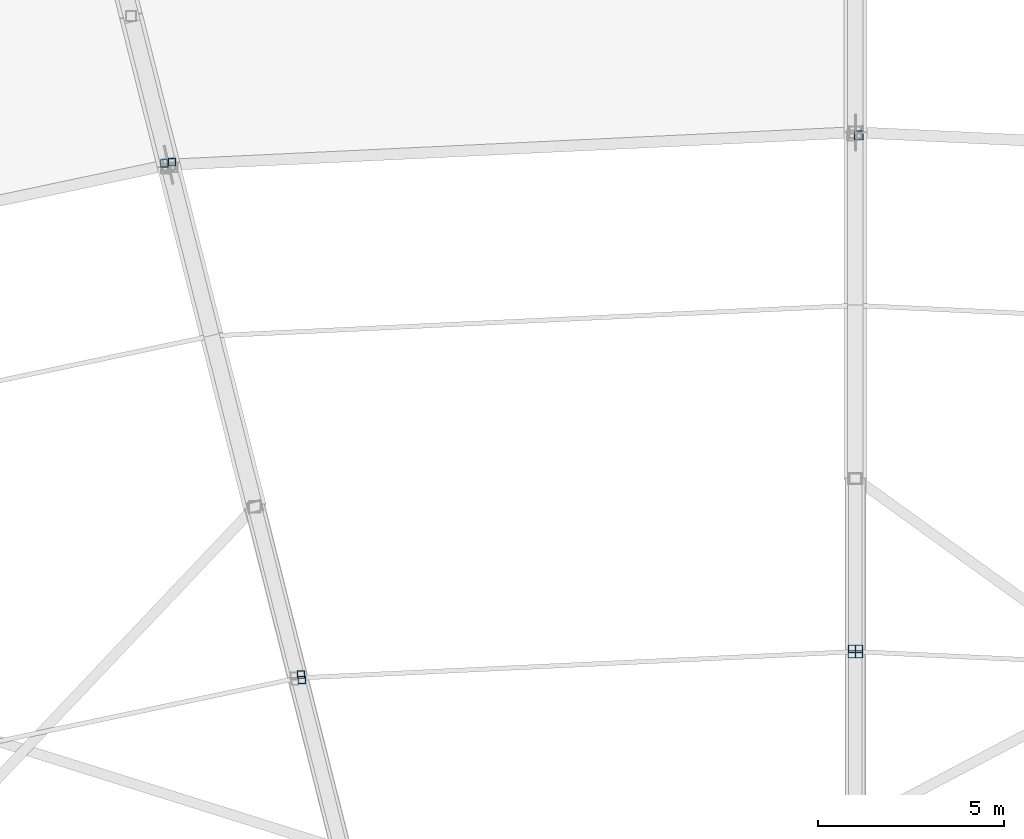
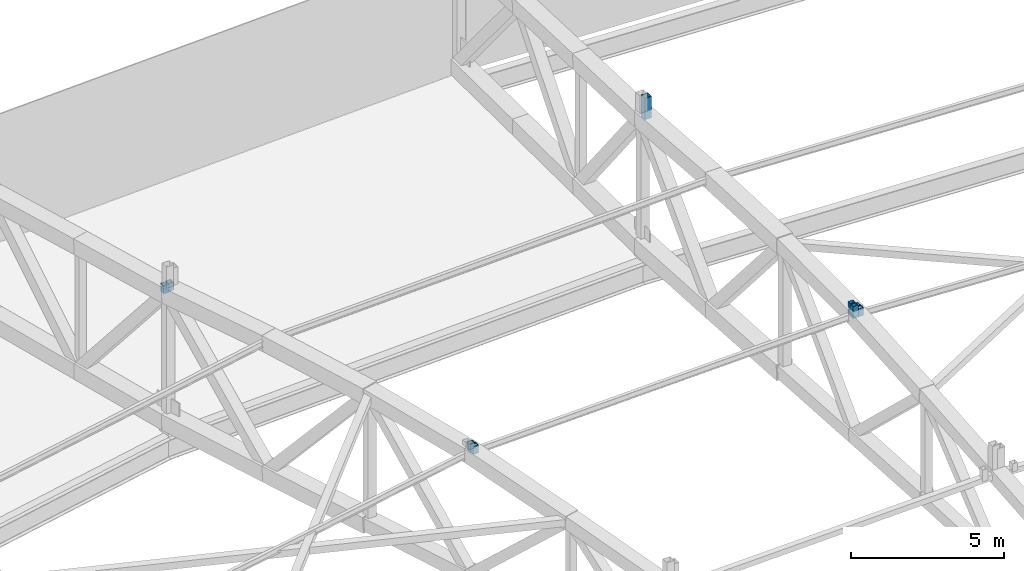
# One storey, part 130 of 162: 9 members.
"""IFC4 building model written with IfcOpenShell, lengths in metres."""

from ifc_helpers import new_model, si_unit, direction, frame, origin, origin_2d, place, context, subcontext, project, spatial, hollow_rectangle, extrude, material, material_profile, profile_set, type_object, element, save


model = new_model("IFC4")

# Units and contexts
model_context = context("Model", 3, precision=1e-05, world=origin(), true_north=direction((0.0, 1.0)))
body_context = subcontext(model_context, "Body", "Model", "MODEL_VIEW")
ifc_project = project(units=[si_unit("LENGTHUNIT", "METRE"), si_unit("AREAUNIT", "SQUARE_METRE"), si_unit("VOLUMEUNIT", "CUBIC_METRE"), si_unit("PLANEANGLEUNIT", "RADIAN"), si_unit("MASSUNIT", "GRAM", prefix="KILO")], contexts=[model_context])

# Site, building, storey
site_placement = place(None, origin())
site = spatial("IfcSite", under=ifc_project, at=site_placement, CompositionType="ELEMENT")
building_placement = place(site_placement, origin())
building = spatial("IfcBuilding", under=site, at=building_placement, Name="Kazemori Nagisa Stadium", CompositionType="ELEMENT")
storey_placement = place(building_placement, frame((0.0, 0.0, 36.719970703125)))
storey = spatial("IfcBuildingStorey", under=building, at=storey_placement, Name="RF", CompositionType="ELEMENT", Elevation=36.719970703125)

# Members
ifc_material = material(Name="Steel STKR490", Category="steel")
ifc_material_profile_1 = material_profile(ifc_material, hollow_rectangle(XDim=0.25, YDim=0.25, WallThickness=0.011962890625, at=origin_2d()), Name="SHS-250x250x12")
ifc_profile_set_1 = profile_set([ifc_material_profile_1], Name="Steel STKR490")
member_type_1 = type_object("IfcMemberType", Name="Member_ST-SHS250", PredefinedType="STUD", material=ifc_profile_set_1)
member_placement = place(storey_placement, frame((123.090087890625, 175.880615234375, 5.56005859375), z_axis=(0.0, 0.0, 1.0), x_axis=(1.0, 0.0, 0.0)))
element("IfcMember", 1, at=member_placement, inside=storey, type_object=member_type_1, Name="Canopy bearing stool B07-mid-2", PredefinedType="STUD", context=body_context, shape_type="SweptSolid", body=[
    extrude(hollow_rectangle(XDim=0.25, YDim=0.25, WallThickness=0.011962890625, at=origin_2d()), origin(), (0.0, 0.0, 1.0), 0.85986328125),
])
ifc_material_profile_2 = material_profile(ifc_material, hollow_rectangle(XDim=0.199951171875, YDim=0.199951171875, WallThickness=0.009033203125, at=origin_2d()), Name="SHS-200x200x9")
ifc_profile_set_2 = profile_set([ifc_material_profile_2], Name="Steel STKR490")
member_type_2 = type_object("IfcMemberType", Name="Member_TS-SHS200", PredefinedType="STRUT", material=ifc_profile_set_2)
for number, where, z_axis, x_axis, name in (
    (2, (123.09423828125, 162.102294921875, 6.10498046875), (0.0, 0.0, 1.0), (1.0, 0.0, 0.0), "Canopy bearing stool B07-mid-3"),
    (3, (123.097412109375, 161.957763671875, 6.10498046875), (0.0, 0.0, 1.0), (1.0, 0.0, 0.0), "Canopy bearing stool B07-inner-2"),
    (4, (104.667724609375, 175.1611328125, 5.56005859375), (0.0, 0.0, 1.0), (1.0, 0.0, 0.0), "Canopy bearing stool B08-outer-3"),
    (5, (108.124267578125, 161.40966796875, 6.26611328125), (0.0, 0.0, 1.0), (1.0, 0.0, 0.0), "Canopy bearing stool B08-mid-3"),
):
    element("IfcMember", number, at=place(storey_placement, frame(where, z_axis=z_axis, x_axis=x_axis)), inside=storey, type_object=member_type_2, Name=name, PredefinedType="STRUT", context=body_context, shape_type="SweptSolid", body=[
        extrude(hollow_rectangle(XDim=0.199951171875, YDim=0.199951171875, WallThickness=0.009033203125, at=origin_2d()), origin(), (0.0, 0.0, 1.0), 0.31494140625),
    ])
for number, where, z_axis, x_axis, name in (
    (6, (122.90576171875, 162.102294921875, 6.10498046875), (0.0, 0.0, 1.0), (1.0, 0.0, 0.0), "Canopy bearing stool B08-mid-4"),
    (7, (122.902587890625, 161.957763671875, 6.10498046875), (0.0, 0.0, 1.0), (1.0, 0.0, 0.0), "Canopy bearing stool B08-inner-1"),
):
    element("IfcMember", number, at=place(storey_placement, frame(where, z_axis=z_axis, x_axis=x_axis)), inside=storey, type_object=member_type_2, Name=name, PredefinedType="STRUT", context=body_context, shape_type="SweptSolid", body=[
        extrude(hollow_rectangle(XDim=0.199951171875, YDim=0.199951171875, WallThickness=0.009033203125, at=origin_2d()), origin(), (0.0, 0.0, 1.0), 0.47607421875),
    ])
for number, where, z_axis, x_axis, name in (
    (8, (108.149658203125, 161.2646484375, 6.26611328125), (0.0, 0.0, 1.0), (1.0, 0.0, 0.0), "Canopy bearing stool B08-inner-2"),
    (9, (104.45849609375, 175.126953125, 5.56005859375), (0.0, 0.0, 1.0), (1.0, 0.0, 0.0), "Canopy bearing stool B09-outer-4"),
):
    element("IfcMember", number, at=place(storey_placement, frame(where, z_axis=z_axis, x_axis=x_axis)), inside=storey, type_object=member_type_2, Name=name, PredefinedType="STRUT", context=body_context, shape_type="SweptSolid", body=[
        extrude(hollow_rectangle(XDim=0.199951171875, YDim=0.199951171875, WallThickness=0.009033203125, at=origin_2d()), origin(), (0.0, 0.0, 1.0), 0.31494140625),
    ])

save(model, "model.ifc")
